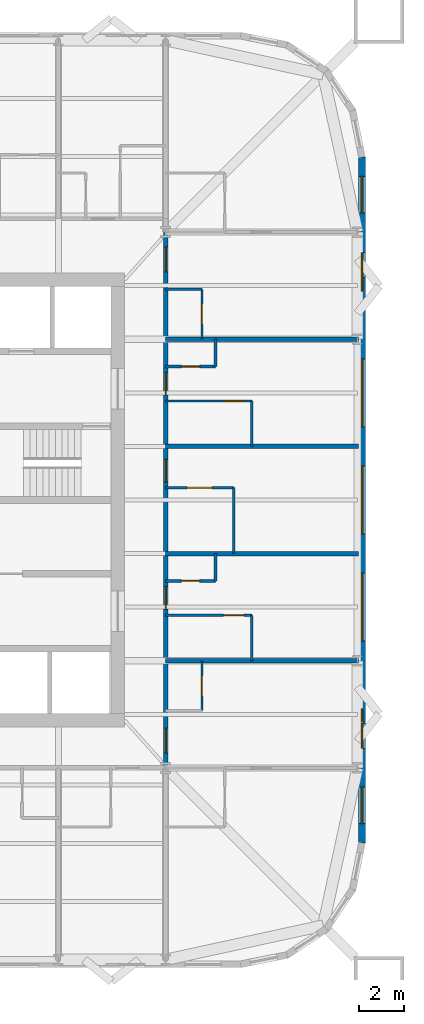
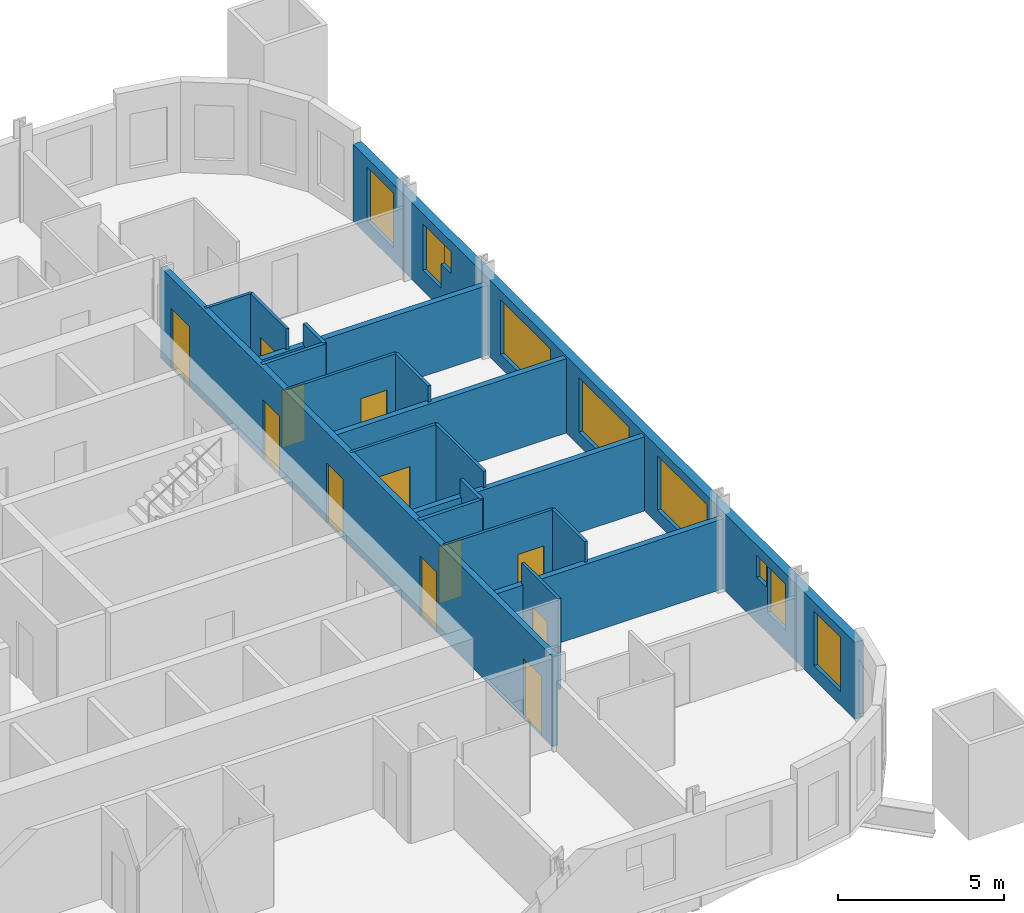
# One storey, part 6 of 9: 19 walls, 12 doors, 9 windows, 21 openings.
"""IFC4 building model written with IfcOpenShell, lengths in metres."""

from ifc_helpers import new_model, si_unit, direction, frame, frame_2d, origin, place, context, subcontext, project, spatial, rectangle, extrude, material, layer, layer_set, type_object, element, fill, save


model = new_model("IFC4")

# Units and contexts
model_context = context("Model", 3, precision=1e-05, world=origin(), true_north=direction((0.0, 1.0)))
body_context = subcontext(model_context, "Body", "Model", "MODEL_VIEW")
ifc_project = project(units=[si_unit("LENGTHUNIT", "METRE"), si_unit("AREAUNIT", "SQUARE_METRE"), si_unit("VOLUMEUNIT", "CUBIC_METRE"), si_unit("PLANEANGLEUNIT", "RADIAN"), si_unit("MASSUNIT", "GRAM", prefix="KILO")], contexts=[model_context])

# Site, building, storey
site_placement = place(None, origin())
site = spatial("IfcSite", under=ifc_project, at=site_placement, CompositionType="ELEMENT")
building_placement = place(site_placement, origin())
building = spatial("IfcBuilding", under=site, at=building_placement, Name="Turquesa Mirador Hotel Tower", CompositionType="ELEMENT")
storey_placement = place(building_placement, frame((0.0, 0.0, 110.89990234375)))
storey = spatial("IfcBuildingStorey", under=building, at=storey_placement, Name="L29", CompositionType="ELEMENT", Elevation=110.89990234375)

# Wall, opening, door
ifc_material_1 = material(Name="Gypsum board on steel studs", Category="steel")
ifc_layer_1 = layer(ifc_material_1, 0.10009765625)
ifc_layer_set_1 = layer_set([ifc_layer_1], Name="BATHROOM WALL 100")
wall_type_1 = type_object("IfcWallType", Name="BATHROOM WALL 100", PredefinedType="PARTITIONING", material=ifc_layer_set_1)
wall_1_placement = place(storey_placement, frame((66.800048828125, 39.919921875, 0.0), z_axis=(0.0, 0.0, 1.0), x_axis=(1.0, 0.0, 0.0)))
wall_1 = element("IfcWall", 1, at=wall_1_placement, inside=storey, type_object=wall_type_1, Name="Partition L29 014", PredefinedType="PARTITIONING", context=body_context, shape_type="SweptSolid", body=[
    extrude(rectangle(XDim=3.800048828125, YDim=0.10009765625, at=frame_2d((1.89990234375, 0.0))), origin(), (0.0, 0.0, 1.0), 3.330078125),
])
opening_1_placement = place(wall_1_placement, frame((2.550048828125, 0.0, 0.0)))
opening_1 = element("IfcOpeningElement", 2, at=opening_1_placement, cuts=wall_1, Name="Opening D02", PredefinedType="OPENING", context=body_context, shape_type="SweptSolid", body=[
    extrude(rectangle(XDim=0.89990234375, YDim=2.10009765625, at=frame_2d((0.449951171875, 1.050048828125))), frame((0.0, 0.06005859375, 0.0), z_axis=(0.0, -1.0, 0.0), x_axis=(1.0, 0.0, 0.0)), (0.0, 0.0, 1.0), 0.1201171875),
])
ifc_material_2 = material(Name="Timber veneered door", Category="wood")
door_type_1 = type_object("IfcDoorType", Name="DOOR 900X2100 EN-SUITE", OperationType="SINGLE_SWING_RIGHT", PredefinedType="DOOR", material=ifc_material_2)
door_1_placement = place(opening_1_placement, origin())
door_1 = element("IfcDoor", 3, at=door_1_placement, inside=storey, type_object=door_type_1, Name="Door 2908B", OperationType="SINGLE_SWING_RIGHT", OverallHeight=2.10009765625, OverallWidth=0.89990234375, PredefinedType="DOOR", context=body_context, shape_type="SweptSolid", body=[
    extrude(rectangle(XDim=0.89990234375, YDim=2.10009765625, at=frame_2d((0.449951171875, 1.050048828125))), frame((0.0, 0.02490234375, 0.0), z_axis=(0.0, -1.0, 0.0), x_axis=(1.0, 0.0, 0.0)), (0.0, 0.0, 1.0), 0.050048828125),
])
fill(opening_1, door_1)

wall_2_placement = place(storey_placement, frame((66.800048828125, 45.5400390625, 0.0), z_axis=(0.0, 0.0, 1.0), x_axis=(1.0, 0.0, 0.0)))
wall_2 = element("IfcWall", 4, at=wall_2_placement, inside=storey, type_object=wall_type_1, Name="Partition L29 019", PredefinedType="PARTITIONING", context=body_context, shape_type="SweptSolid", body=[
    extrude(rectangle(XDim=3.0, YDim=0.10009765625, at=frame_2d((1.5, 0.0))), origin(), (0.0, 0.0, 1.0), 3.330078125),
])
opening_2_placement = place(wall_2_placement, frame((0.949951171875, 0.0, 0.0)))
opening_2 = element("IfcOpeningElement", 5, at=opening_2_placement, cuts=wall_2, Name="Opening D16", PredefinedType="OPENING", context=body_context, shape_type="SweptSolid", body=[
    extrude(rectangle(XDim=1.10009765625, YDim=2.10009765625, at=frame_2d((0.550048828125, 1.050048828125))), frame((0.0, 0.06005859375, 0.0), z_axis=(0.0, -1.0, 0.0), x_axis=(1.0, 0.0, 0.0)), (0.0, 0.0, 1.0), 0.1201171875),
])
ifc_material_3 = material(Name="Timber veneered sliding door", Category="wood")
door_type_2 = type_object("IfcDoorType", Name="DOOR 1100X2100 ACCESSIBLE EN-SUITE", OperationType="SLIDING_TO_LEFT", PredefinedType="DOOR", material=ifc_material_3)
door_2_placement = place(opening_2_placement, origin())
door_2 = element("IfcDoor", 6, at=door_2_placement, inside=storey, type_object=door_type_2, Name="Door 2909B", OperationType="SLIDING_TO_LEFT", OverallHeight=2.10009765625, OverallWidth=1.10009765625, PredefinedType="DOOR", context=body_context, shape_type="SweptSolid", body=[
    extrude(rectangle(XDim=1.10009765625, YDim=2.10009765625, at=frame_2d((0.550048828125, 1.050048828125))), frame((0.0, 0.02490234375, 0.0), z_axis=(0.0, -1.0, 0.0), x_axis=(1.0, 0.0, 0.0)), (0.0, 0.0, 1.0), 0.050048828125),
])
fill(opening_2, door_2)

wall_3_placement = place(storey_placement, frame((66.800048828125, 49.360107421875, 0.0), z_axis=(0.0, 0.0, 1.0), x_axis=(1.0, 0.0, 0.0)))
wall_3 = element("IfcWall", 7, at=wall_3_placement, inside=storey, type_object=wall_type_1, Name="Partition L29 034", PredefinedType="PARTITIONING", context=body_context, shape_type="SweptSolid", body=[
    extrude(rectangle(XDim=3.800048828125, YDim=0.10009765625, at=frame_2d((1.89990234375, 0.0))), origin(), (0.0, 0.0, 1.0), 3.330078125),
])
opening_3_placement = place(wall_3_placement, frame((2.550048828125, 0.0, 0.0)))
opening_3 = element("IfcOpeningElement", 8, at=opening_3_placement, cuts=wall_3, Name="Opening D02", PredefinedType="OPENING", context=body_context, shape_type="SweptSolid", body=[
    extrude(rectangle(XDim=0.89990234375, YDim=2.10009765625, at=frame_2d((0.449951171875, 1.050048828125))), frame((0.0, 0.06005859375, 0.0), z_axis=(0.0, -1.0, 0.0), x_axis=(1.0, 0.0, 0.0)), (0.0, 0.0, 1.0), 0.1201171875),
])
door_3_placement = place(opening_3_placement, origin())
door_3 = element("IfcDoor", 9, at=door_3_placement, inside=storey, type_object=door_type_1, Name="Door 2910B", OperationType="SINGLE_SWING_RIGHT", OverallHeight=2.10009765625, OverallWidth=0.89990234375, PredefinedType="DOOR", context=body_context, shape_type="SweptSolid", body=[
    extrude(rectangle(XDim=0.89990234375, YDim=2.10009765625, at=frame_2d((0.449951171875, 1.050048828125))), frame((0.0, 0.02490234375, 0.0), z_axis=(0.0, -1.0, 0.0), x_axis=(1.0, 0.0, 0.0)), (0.0, 0.0, 1.0), 0.050048828125),
])
fill(opening_3, door_3)

# Wall
wall_4_placement = place(storey_placement, frame((66.800048828125, 54.280029296875, 0.0), z_axis=(0.0, 0.0, 1.0), x_axis=(1.0, 0.0, 0.0)))
element("IfcWall", 10, at=wall_4_placement, inside=storey, type_object=wall_type_1, Name="Partition L29 040", PredefinedType="PARTITIONING", context=body_context, shape_type="SweptSolid", body=[
    extrude(rectangle(XDim=1.599853515625, YDim=0.10009765625, at=frame_2d((0.7998046875, 0.0))), origin(), (0.0, 0.0, 1.0), 3.330078125),
])

# Wall, opening, door
wall_5_placement = place(storey_placement, frame((68.39990234375, 35.719970703125, 0.0), z_axis=(0.0, 0.0, 1.0), x_axis=(0.0, 1.0, 0.0)))
wall_5 = element("IfcWall", 11, at=wall_5_placement, inside=storey, type_object=wall_type_1, Name="Partition L29 063", PredefinedType="PARTITIONING", context=body_context, shape_type="SweptSolid", body=[
    extrude(rectangle(XDim=2.199951171875, YDim=0.10009765625, at=frame_2d((1.10009765625, 0.0))), origin(), (0.0, 0.0, 1.0), 3.330078125),
])
opening_4_placement = place(wall_5_placement, frame((0.64990234375, 0.0, 0.0)))
opening_4 = element("IfcOpeningElement", 12, at=opening_4_placement, cuts=wall_5, Name="Opening D06", PredefinedType="OPENING", context=body_context, shape_type="SweptSolid", body=[
    extrude(rectangle(XDim=0.89990234375, YDim=2.10009765625, at=frame_2d((0.449951171875, 1.050048828125))), frame((0.0, 0.06005859375, 0.0), z_axis=(0.0, -1.0, 0.0), x_axis=(1.0, 0.0, 0.0)), (0.0, 0.0, 1.0), 0.1201171875),
])
ifc_material_4 = material(Name="Laminate door", Category="wood")
door_type_3 = type_object("IfcDoorType", Name="DOOR 900X2100 WC", OperationType="SINGLE_SWING_LEFT", PredefinedType="DOOR", material=ifc_material_4)
door_4_placement = place(opening_4_placement, origin())
door_4 = element("IfcDoor", 13, at=door_4_placement, inside=storey, type_object=door_type_3, Name="Door 2916W", OperationType="SINGLE_SWING_LEFT", OverallHeight=2.10009765625, OverallWidth=0.89990234375, PredefinedType="DOOR", context=body_context, shape_type="SweptSolid", body=[
    extrude(rectangle(XDim=0.89990234375, YDim=2.10009765625, at=frame_2d((0.449951171875, 1.050048828125))), frame((0.0, 0.02490234375, 0.0), z_axis=(0.0, -1.0, 0.0), x_axis=(1.0, 0.0, 0.0)), (0.0, 0.0, 1.0), 0.050048828125),
])
fill(opening_4, door_4)

wall_6_placement = place(storey_placement, frame((68.39990234375, 52.080078125, 0.0), z_axis=(0.0, 0.0, 1.0), x_axis=(0.0, 1.0, 0.0)))
wall_6 = element("IfcWall", 14, at=wall_6_placement, inside=storey, type_object=wall_type_1, Name="Partition L29 064", PredefinedType="PARTITIONING", context=body_context, shape_type="SweptSolid", body=[
    extrude(rectangle(XDim=2.199951171875, YDim=0.10009765625, at=frame_2d((1.10009765625, 0.0))), origin(), (0.0, 0.0, 1.0), 3.330078125),
])
opening_5_placement = place(wall_6_placement, frame((0.64990234375, 0.0, 0.0)))
opening_5 = element("IfcOpeningElement", 15, at=opening_5_placement, cuts=wall_6, Name="Opening D06", PredefinedType="OPENING", context=body_context, shape_type="SweptSolid", body=[
    extrude(rectangle(XDim=0.89990234375, YDim=2.10009765625, at=frame_2d((0.449951171875, 1.050048828125))), frame((0.0, 0.06005859375, 0.0), z_axis=(0.0, -1.0, 0.0), x_axis=(1.0, 0.0, 0.0)), (0.0, 0.0, 1.0), 0.1201171875),
])
door_5_placement = place(opening_5_placement, origin())
door_5 = element("IfcDoor", 16, at=door_5_placement, inside=storey, type_object=door_type_3, Name="Door 2913W", OperationType="SINGLE_SWING_LEFT", OverallHeight=2.10009765625, OverallWidth=0.89990234375, PredefinedType="DOOR", context=body_context, shape_type="SweptSolid", body=[
    extrude(rectangle(XDim=0.89990234375, YDim=2.10009765625, at=frame_2d((0.449951171875, 1.050048828125))), frame((0.0, 0.02490234375, 0.0), z_axis=(0.0, -1.0, 0.0), x_axis=(1.0, 0.0, 0.0)), (0.0, 0.0, 1.0), 0.050048828125),
])
fill(opening_5, door_5)

# Walls
wall_7_placement = place(storey_placement, frame((69.800048828125, 42.639892578125, 0.0), z_axis=(0.0, 0.0, 1.0), x_axis=(0.0, 1.0, 0.0)))
element("IfcWall", 17, at=wall_7_placement, inside=storey, type_object=wall_type_1, Name="Partition L29 069", PredefinedType="PARTITIONING", context=body_context, shape_type="SweptSolid", body=[
    extrude(rectangle(XDim=2.900146484375, YDim=0.10009765625, at=frame_2d((1.4501953125, 0.0))), origin(), (0.0, 0.0, 1.0), 3.330078125),
])
for number, where, z_axis, x_axis, name in (
    (18, (70.60009765625, 37.919921875, 0.0), (0.0, 0.0, 1.0), (0.0, 1.0, 0.0), "Partition L29 070"),
    (19, (70.60009765625, 47.360107421875, 0.0), (0.0, 0.0, 1.0), (0.0, 1.0, 0.0), "Partition L29 071"),
):
    element("IfcWall", number, at=place(storey_placement, frame(where, z_axis=z_axis, x_axis=x_axis)), inside=storey, type_object=wall_type_1, Name=name, PredefinedType="PARTITIONING", context=body_context, shape_type="SweptSolid", body=[
        extrude(rectangle(XDim=2.0, YDim=0.10009765625, at=frame_2d((1.0, 0.0))), origin(), (0.0, 0.0, 1.0), 3.330078125),
    ])

# Wall, openings, doors
ifc_material_5 = material(Name="Fire-rated gypsum board on steel studs", Category="steel")
ifc_layer_2 = layer(ifc_material_5, 0.199951171875)
ifc_layer_set_2 = layer_set([ifc_layer_2], Name="CORRIDOR WALL 200")
wall_type_2 = type_object("IfcWallType", Name="CORRIDOR WALL 200", PredefinedType="PARTITIONING", material=ifc_layer_set_2)
wall_8_placement = place(storey_placement, frame((66.800048828125, 33.199951171875, 0.0), z_axis=(0.0, 0.0, 1.0), x_axis=(0.0, 1.0, 0.0)))
wall_8 = element("IfcWall", 20, at=wall_8_placement, inside=storey, type_object=wall_type_2, Name="Partition L29 060", PredefinedType="PARTITIONING", context=body_context, shape_type="SweptSolid", body=[
    extrude(rectangle(XDim=23.580078125, YDim=0.199951171875, at=frame_2d((11.7900390625, 0.0))), origin(), (0.0, 0.0, 1.0), 3.330078125),
])
opening_6_placement = place(wall_8_placement, frame((6.97998046875, 0.0, 0.0)))
opening_6 = element("IfcOpeningElement", 21, at=opening_6_placement, cuts=wall_8, Name="Opening D01", PredefinedType="OPENING", context=body_context, shape_type="SweptSolid", body=[
    extrude(rectangle(XDim=1.0, YDim=2.199951171875, at=frame_2d((0.5, 1.10009765625))), frame((0.0, 0.10986328125, 0.0), z_axis=(0.0, -1.0, 0.0), x_axis=(1.0, 0.0, 0.0)), (0.0, 0.0, 1.0), 0.219970703125),
])
opening_7_placement = place(wall_8_placement, frame((12.590087890625, 0.0, 0.0)))
opening_7 = element("IfcOpeningElement", 22, at=opening_7_placement, cuts=wall_8, Name="Opening D01", PredefinedType="OPENING", context=body_context, shape_type="SweptSolid", body=[
    extrude(rectangle(XDim=1.0, YDim=2.199951171875, at=frame_2d((0.5, 1.10009765625))), frame((0.0, 0.10986328125, 0.0), z_axis=(0.0, -1.0, 0.0), x_axis=(1.0, 0.0, 0.0)), (0.0, 0.0, 1.0), 0.219970703125),
])
opening_8_placement = place(wall_8_placement, frame((16.419921875, 0.0, 0.0)))
opening_8 = element("IfcOpeningElement", 23, at=opening_8_placement, cuts=wall_8, Name="Opening D01", PredefinedType="OPENING", context=body_context, shape_type="SweptSolid", body=[
    extrude(rectangle(XDim=1.0, YDim=2.199951171875, at=frame_2d((0.5, 1.10009765625))), frame((0.0, 0.10986328125, 0.0), z_axis=(0.0, -1.0, 0.0), x_axis=(1.0, 0.0, 0.0)), (0.0, 0.0, 1.0), 0.219970703125),
])
opening_9_placement = place(wall_8_placement, frame((21.85009765625, 0.0, 0.0)))
opening_9 = element("IfcOpeningElement", 24, at=opening_9_placement, cuts=wall_8, Name="Opening D15", PredefinedType="OPENING", context=body_context, shape_type="SweptSolid", body=[
    extrude(rectangle(XDim=1.10009765625, YDim=2.199951171875, at=frame_2d((0.550048828125, 1.10009765625))), frame((0.0, 0.10986328125, 0.0), z_axis=(0.0, -1.0, 0.0), x_axis=(1.0, 0.0, 0.0)), (0.0, 0.0, 1.0), 0.219970703125),
])
opening_10_placement = place(wall_8_placement, frame((0.64990234375, 0.0, 0.0)))
opening_10 = element("IfcOpeningElement", 25, at=opening_10_placement, cuts=wall_8, Name="Opening D15", PredefinedType="OPENING", context=body_context, shape_type="SweptSolid", body=[
    extrude(rectangle(XDim=1.10009765625, YDim=2.199951171875, at=frame_2d((0.550048828125, 1.10009765625))), frame((0.0, 0.10986328125, 0.0), z_axis=(0.0, -1.0, 0.0), x_axis=(1.0, 0.0, 0.0)), (0.0, 0.0, 1.0), 0.219970703125),
])
ifc_material_6 = material(Name="Timber veneered fire door", Category="wood")
door_type_4 = type_object("IfcDoorType", Name="DOOR 1000X2200 GUEST ENTRY", OperationType="SINGLE_SWING_LEFT", PredefinedType="DOOR", material=ifc_material_6)
door_6_placement = place(opening_6_placement, origin())
door_6 = element("IfcDoor", 26, at=door_6_placement, inside=storey, type_object=door_type_4, Name="Door 2908", OperationType="SINGLE_SWING_LEFT", OverallHeight=2.199951171875, OverallWidth=1.0, PredefinedType="DOOR", context=body_context, shape_type="SweptSolid", body=[
    extrude(rectangle(XDim=1.0, YDim=2.199951171875, at=frame_2d((0.5, 1.10009765625))), frame((0.0, 0.02490234375, 0.0), z_axis=(0.0, -1.0, 0.0), x_axis=(1.0, 0.0, 0.0)), (0.0, 0.0, 1.0), 0.050048828125),
])
fill(opening_6, door_6)
door_7_placement = place(opening_7_placement, origin())
door_7 = element("IfcDoor", 27, at=door_7_placement, inside=storey, type_object=door_type_4, Name="Door 2909", OperationType="SINGLE_SWING_LEFT", OverallHeight=2.199951171875, OverallWidth=1.0, PredefinedType="DOOR", context=body_context, shape_type="SweptSolid", body=[
    extrude(rectangle(XDim=1.0, YDim=2.199951171875, at=frame_2d((0.5, 1.10009765625))), frame((0.0, 0.02490234375, 0.0), z_axis=(0.0, -1.0, 0.0), x_axis=(1.0, 0.0, 0.0)), (0.0, 0.0, 1.0), 0.050048828125),
])
fill(opening_7, door_7)
door_8_placement = place(opening_8_placement, origin())
door_8 = element("IfcDoor", 28, at=door_8_placement, inside=storey, type_object=door_type_4, Name="Door 2910", OperationType="SINGLE_SWING_LEFT", OverallHeight=2.199951171875, OverallWidth=1.0, PredefinedType="DOOR", context=body_context, shape_type="SweptSolid", body=[
    extrude(rectangle(XDim=1.0, YDim=2.199951171875, at=frame_2d((0.5, 1.10009765625))), frame((0.0, 0.02490234375, 0.0), z_axis=(0.0, -1.0, 0.0), x_axis=(1.0, 0.0, 0.0)), (0.0, 0.0, 1.0), 0.050048828125),
])
fill(opening_8, door_8)
ifc_material_7 = material(Name="Timber veneered fire door", Category="wood")
door_type_5 = type_object("IfcDoorType", Name="DOOR 1100X2200 SUITE ENTRY", OperationType="SINGLE_SWING_LEFT", PredefinedType="DOOR", material=ifc_material_7)
door_9_placement = place(opening_9_placement, origin())
door_9 = element("IfcDoor", 29, at=door_9_placement, inside=storey, type_object=door_type_5, Name="Door 2913", OperationType="SINGLE_SWING_LEFT", OverallHeight=2.199951171875, OverallWidth=1.10009765625, PredefinedType="DOOR", context=body_context, shape_type="SweptSolid", body=[
    extrude(rectangle(XDim=1.10009765625, YDim=2.199951171875, at=frame_2d((0.550048828125, 1.10009765625))), frame((0.0, 0.02490234375, 0.0), z_axis=(0.0, -1.0, 0.0), x_axis=(1.0, 0.0, 0.0)), (0.0, 0.0, 1.0), 0.050048828125),
])
fill(opening_9, door_9)
door_10_placement = place(opening_10_placement, origin())
door_10 = element("IfcDoor", 30, at=door_10_placement, inside=storey, type_object=door_type_5, Name="Door 2916", OperationType="SINGLE_SWING_LEFT", OverallHeight=2.199951171875, OverallWidth=1.10009765625, PredefinedType="DOOR", context=body_context, shape_type="SweptSolid", body=[
    extrude(rectangle(XDim=1.10009765625, YDim=2.199951171875, at=frame_2d((0.550048828125, 1.10009765625))), frame((0.0, 0.02490234375, 0.0), z_axis=(0.0, -1.0, 0.0), x_axis=(1.0, 0.0, 0.0)), (0.0, 0.0, 1.0), 0.050048828125),
])
fill(opening_10, door_10)

# Wall, openings, windows
ifc_material_8 = material(Name="Limestone cladding on concrete block", Category="masonry")
ifc_layer_3 = layer(ifc_material_8, 0.300048828125)
ifc_layer_set_3 = layer_set([ifc_layer_3], Name="FACADE WALL 300 STONE SCREEN")
wall_type_3 = type_object("IfcWallType", Name="FACADE WALL 300 STONE SCREEN", PredefinedType="SOLIDWALL", material=ifc_layer_set_3)
wall_9_placement = place(storey_placement, frame((75.449951171875, 29.89990234375, 0.0), z_axis=(0.0, 0.0, 1.0), x_axis=(0.0, 1.0, 0.0)))
wall_9 = element("IfcWall", 31, at=wall_9_placement, inside=storey, type_object=wall_type_3, Name="Facade wall L29 04", PredefinedType="SOLIDWALL", context=body_context, shape_type="SweptSolid", body=[
    extrude(rectangle(XDim=30.2001953125, YDim=0.300048828125, at=frame_2d((15.10009765625, 0.0))), origin(), (0.0, 0.0, 1.0), 2.830078125),
])
opening_11_placement = place(wall_9_placement, frame((0.85009765625, 0.0, 0.5)))
opening_11 = element("IfcOpeningElement", 32, at=opening_11_placement, cuts=wall_9, Name="Opening WN3", PredefinedType="OPENING", context=body_context, shape_type="SweptSolid", body=[
    extrude(rectangle(XDim=1.60009765625, YDim=2.0, at=frame_2d((0.800048828125, 1.0))), frame((0.0, 0.159912109375, 0.0), z_axis=(0.0, -1.0, 0.0), x_axis=(1.0, 0.0, 0.0)), (0.0, 0.0, 1.0), 0.320068359375),
])
opening_12_placement = place(wall_9_placement, frame((4.159912109375, 0.0, 0.75)))
opening_12 = element("IfcOpeningElement", 33, at=opening_12_placement, cuts=wall_9, Name="Opening WN26", PredefinedType="OPENING", context=body_context, shape_type="SweptSolid", body=[
    extrude(rectangle(XDim=1.10009765625, YDim=1.699951171875, at=frame_2d((0.550048828125, 0.85009765625))), frame((0.0, 0.159912109375, 0.0), z_axis=(0.0, -1.0, 0.0), x_axis=(1.0, 0.0, 0.0)), (0.0, 0.0, 1.0), 0.320068359375),
])
opening_13_placement = place(wall_9_placement, frame((8.8798828125, 0.0, 0.5)))
opening_13 = element("IfcOpeningElement", 34, at=opening_13_placement, cuts=wall_9, Name="Opening WN1", PredefinedType="OPENING", context=body_context, shape_type="SweptSolid", body=[
    extrude(rectangle(XDim=3.0, YDim=2.0, at=frame_2d((1.5, 1.0))), frame((0.0, 0.159912109375, 0.0), z_axis=(0.0, -1.0, 0.0), x_axis=(1.0, 0.0, 0.0)), (0.0, 0.0, 1.0), 0.320068359375),
])
opening_14_placement = place(wall_9_placement, frame((13.60009765625, 0.0, 0.5)))
opening_14 = element("IfcOpeningElement", 35, at=opening_14_placement, cuts=wall_9, Name="Opening WN1", PredefinedType="OPENING", context=body_context, shape_type="SweptSolid", body=[
    extrude(rectangle(XDim=3.0, YDim=2.0, at=frame_2d((1.5, 1.0))), frame((0.0, 0.159912109375, 0.0), z_axis=(0.0, -1.0, 0.0), x_axis=(1.0, 0.0, 0.0)), (0.0, 0.0, 1.0), 0.320068359375),
])
opening_15_placement = place(wall_9_placement, frame((18.320068359375, 0.0, 0.5)))
opening_15 = element("IfcOpeningElement", 36, at=opening_15_placement, cuts=wall_9, Name="Opening WN1", PredefinedType="OPENING", context=body_context, shape_type="SweptSolid", body=[
    extrude(rectangle(XDim=3.0, YDim=2.0, at=frame_2d((1.5, 1.0))), frame((0.0, 0.159912109375, 0.0), z_axis=(0.0, -1.0, 0.0), x_axis=(1.0, 0.0, 0.0)), (0.0, 0.0, 1.0), 0.320068359375),
])
opening_16_placement = place(wall_9_placement, frame((24.889892578125, 0.0, 0.75)))
opening_16 = element("IfcOpeningElement", 37, at=opening_16_placement, cuts=wall_9, Name="Opening WN26", PredefinedType="OPENING", context=body_context, shape_type="SweptSolid", body=[
    extrude(rectangle(XDim=1.10009765625, YDim=1.699951171875, at=frame_2d((0.550048828125, 0.85009765625))), frame((0.0, 0.159912109375, 0.0), z_axis=(0.0, -1.0, 0.0), x_axis=(1.0, 0.0, 0.0)), (0.0, 0.0, 1.0), 0.320068359375),
])
opening_17_placement = place(wall_9_placement, frame((27.75, 0.0, 0.5)))
opening_17 = element("IfcOpeningElement", 38, at=opening_17_placement, cuts=wall_9, Name="Opening WN3", PredefinedType="OPENING", context=body_context, shape_type="SweptSolid", body=[
    extrude(rectangle(XDim=1.60009765625, YDim=2.0, at=frame_2d((0.800048828125, 1.0))), frame((0.0, 0.159912109375, 0.0), z_axis=(0.0, -1.0, 0.0), x_axis=(1.0, 0.0, 0.0)), (0.0, 0.0, 1.0), 0.320068359375),
])
opening_18_placement = place(wall_9_placement, frame((5.31005859375, 0.0, 1.64990234375)))
opening_18 = element("IfcOpeningElement", 39, at=opening_18_placement, cuts=wall_9, Name="Opening WN28", PredefinedType="OPENING", context=body_context, shape_type="SweptSolid", body=[
    extrude(rectangle(XDim=0.60009765625, YDim=0.800048828125, at=frame_2d((0.300048828125, 0.39990234375))), frame((0.0, 0.159912109375, 0.0), z_axis=(0.0, -1.0, 0.0), x_axis=(1.0, 0.0, 0.0)), (0.0, 0.0, 1.0), 0.320068359375),
])
opening_19_placement = place(wall_9_placement, frame((24.2900390625, 0.0, 1.64990234375)))
opening_19 = element("IfcOpeningElement", 40, at=opening_19_placement, cuts=wall_9, Name="Opening WN28", PredefinedType="OPENING", context=body_context, shape_type="SweptSolid", body=[
    extrude(rectangle(XDim=0.60009765625, YDim=0.800048828125, at=frame_2d((0.300048828125, 0.39990234375))), frame((0.0, 0.159912109375, 0.0), z_axis=(0.0, -1.0, 0.0), x_axis=(1.0, 0.0, 0.0)), (0.0, 0.0, 1.0), 0.320068359375),
])
ifc_material_9 = material(Name="Ceramic-fritted laminated glass", Category="glass")
window_type_1 = type_object("IfcWindowType", Name="FRITTED WINDOW 1100X1700", PartitioningType="DOUBLE_PANEL_HORIZONTAL", PredefinedType="WINDOW", material=ifc_material_9)
window_1_placement = place(opening_12_placement, origin())
window_1 = element("IfcWindow", 41, at=window_1_placement, inside=storey, type_object=window_type_1, Name="Window L29", OverallHeight=1.699951171875, OverallWidth=1.10009765625, PartitioningType="SINGLE_PANEL", PredefinedType="WINDOW", context=body_context, shape_type="SweptSolid", body=[
    extrude(rectangle(XDim=1.10009765625, YDim=1.699951171875, at=frame_2d((0.550048828125, 0.85009765625))), frame((0.0, 0.030029296875, 0.0), z_axis=(0.0, -1.0, 0.0), x_axis=(1.0, 0.0, 0.0)), (0.0, 0.0, 1.0), 0.06005859375),
])
fill(opening_12, window_1)
window_2_placement = place(opening_16_placement, origin())
window_2 = element("IfcWindow", 42, at=window_2_placement, inside=storey, type_object=window_type_1, Name="Window L29", OverallHeight=1.699951171875, OverallWidth=1.10009765625, PartitioningType="SINGLE_PANEL", PredefinedType="WINDOW", context=body_context, shape_type="SweptSolid", body=[
    extrude(rectangle(XDim=1.10009765625, YDim=1.699951171875, at=frame_2d((0.550048828125, 0.85009765625))), frame((0.0, 0.030029296875, 0.0), z_axis=(0.0, -1.0, 0.0), x_axis=(1.0, 0.0, 0.0)), (0.0, 0.0, 1.0), 0.06005859375),
])
fill(opening_16, window_2)
ifc_material_10 = material(Name="Ceramic-fritted laminated glass", Category="glass")
window_type_2 = type_object("IfcWindowType", Name="FRITTED WINDOW 1600X2000", PartitioningType="DOUBLE_PANEL_HORIZONTAL", PredefinedType="WINDOW", material=ifc_material_10)
window_3_placement = place(opening_11_placement, origin())
window_3 = element("IfcWindow", 43, at=window_3_placement, inside=storey, type_object=window_type_2, Name="Window L29", OverallHeight=2.0, OverallWidth=1.60009765625, PartitioningType="SINGLE_PANEL", PredefinedType="WINDOW", context=body_context, shape_type="SweptSolid", body=[
    extrude(rectangle(XDim=1.60009765625, YDim=2.0, at=frame_2d((0.800048828125, 1.0))), frame((0.0, 0.030029296875, 0.0), z_axis=(0.0, -1.0, 0.0), x_axis=(1.0, 0.0, 0.0)), (0.0, 0.0, 1.0), 0.06005859375),
])
fill(opening_11, window_3)
window_4_placement = place(opening_17_placement, origin())
window_4 = element("IfcWindow", 44, at=window_4_placement, inside=storey, type_object=window_type_2, Name="Window L29", OverallHeight=2.0, OverallWidth=1.60009765625, PartitioningType="SINGLE_PANEL", PredefinedType="WINDOW", context=body_context, shape_type="SweptSolid", body=[
    extrude(rectangle(XDim=1.60009765625, YDim=2.0, at=frame_2d((0.800048828125, 1.0))), frame((0.0, 0.030029296875, 0.0), z_axis=(0.0, -1.0, 0.0), x_axis=(1.0, 0.0, 0.0)), (0.0, 0.0, 1.0), 0.06005859375),
])
fill(opening_17, window_4)
ifc_material_11 = material(Name="Ceramic-fritted laminated glass", Category="glass")
window_type_3 = type_object("IfcWindowType", Name="FRITTED WINDOW 3000X2000", PartitioningType="DOUBLE_PANEL_HORIZONTAL", PredefinedType="WINDOW", material=ifc_material_11)
window_5_placement = place(opening_13_placement, origin())
window_5 = element("IfcWindow", 45, at=window_5_placement, inside=storey, type_object=window_type_3, Name="Window L29", OverallHeight=2.0, OverallWidth=3.0, PartitioningType="SINGLE_PANEL", PredefinedType="WINDOW", context=body_context, shape_type="SweptSolid", body=[
    extrude(rectangle(XDim=3.0, YDim=2.0, at=frame_2d((1.5, 1.0))), frame((0.0, 0.030029296875, 0.0), z_axis=(0.0, -1.0, 0.0), x_axis=(1.0, 0.0, 0.0)), (0.0, 0.0, 1.0), 0.06005859375),
])
fill(opening_13, window_5)
window_6_placement = place(opening_14_placement, origin())
window_6 = element("IfcWindow", 46, at=window_6_placement, inside=storey, type_object=window_type_3, Name="Window L29", OverallHeight=2.0, OverallWidth=3.0, PartitioningType="SINGLE_PANEL", PredefinedType="WINDOW", context=body_context, shape_type="SweptSolid", body=[
    extrude(rectangle(XDim=3.0, YDim=2.0, at=frame_2d((1.5, 1.0))), frame((0.0, 0.030029296875, 0.0), z_axis=(0.0, -1.0, 0.0), x_axis=(1.0, 0.0, 0.0)), (0.0, 0.0, 1.0), 0.06005859375),
])
fill(opening_14, window_6)
window_7_placement = place(opening_15_placement, origin())
window_7 = element("IfcWindow", 47, at=window_7_placement, inside=storey, type_object=window_type_3, Name="Window L29", OverallHeight=2.0, OverallWidth=3.0, PartitioningType="SINGLE_PANEL", PredefinedType="WINDOW", context=body_context, shape_type="SweptSolid", body=[
    extrude(rectangle(XDim=3.0, YDim=2.0, at=frame_2d((1.5, 1.0))), frame((0.0, 0.030029296875, 0.0), z_axis=(0.0, -1.0, 0.0), x_axis=(1.0, 0.0, 0.0)), (0.0, 0.0, 1.0), 0.06005859375),
])
fill(opening_15, window_7)
ifc_material_12 = material(Name="Ceramic-fritted laminated glass", Category="glass")
window_type_4 = type_object("IfcWindowType", Name="FRITTED WINDOW 600X800", PartitioningType="DOUBLE_PANEL_HORIZONTAL", PredefinedType="WINDOW", material=ifc_material_12)
window_8_placement = place(opening_18_placement, origin())
window_8 = element("IfcWindow", 48, at=window_8_placement, inside=storey, type_object=window_type_4, Name="Window L29", OverallHeight=0.800048828125, OverallWidth=0.60009765625, PartitioningType="SINGLE_PANEL", PredefinedType="WINDOW", context=body_context, shape_type="SweptSolid", body=[
    extrude(rectangle(XDim=0.60009765625, YDim=0.800048828125, at=frame_2d((0.300048828125, 0.39990234375))), frame((0.0, 0.030029296875, 0.0), z_axis=(0.0, -1.0, 0.0), x_axis=(1.0, 0.0, 0.0)), (0.0, 0.0, 1.0), 0.06005859375),
])
fill(opening_18, window_8)
window_9_placement = place(opening_19_placement, origin())
window_9 = element("IfcWindow", 49, at=window_9_placement, inside=storey, type_object=window_type_4, Name="Window L29", OverallHeight=0.800048828125, OverallWidth=0.60009765625, PartitioningType="SINGLE_PANEL", PredefinedType="WINDOW", context=body_context, shape_type="SweptSolid", body=[
    extrude(rectangle(XDim=0.60009765625, YDim=0.800048828125, at=frame_2d((0.300048828125, 0.39990234375))), frame((0.0, 0.030029296875, 0.0), z_axis=(0.0, -1.0, 0.0), x_axis=(1.0, 0.0, 0.0)), (0.0, 0.0, 1.0), 0.06005859375),
])
fill(opening_19, window_9)

# Walls
ifc_material_13 = material(Name="Fire-rated gypsum board on steel studs", Category="steel")
ifc_layer_4 = layer(ifc_material_13, 0.199951171875)
ifc_layer_set_4 = layer_set([ifc_layer_4], Name="PARTY WALL 200")
wall_type_4 = type_object("IfcWallType", Name="PARTY WALL 200", PredefinedType="PARTITIONING", material=ifc_layer_set_4)
wall_10_placement = place(storey_placement, frame((66.800048828125, 42.639892578125, 0.0), z_axis=(0.0, 0.0, 1.0), x_axis=(1.0, 0.0, 0.0)))
element("IfcWall", 50, at=wall_10_placement, inside=storey, type_object=wall_type_4, Name="Partition L29 011", PredefinedType="PARTITIONING", context=body_context, shape_type="SweptSolid", body=[
    extrude(rectangle(XDim=8.5, YDim=0.199951171875, at=frame_2d((4.25, 0.0))), origin(), (0.0, 0.0, 1.0), 2.730712890625),
])
wall_11_placement = place(storey_placement, frame((66.800048828125, 37.919921875, 0.0), z_axis=(0.0, 0.0, 1.0), x_axis=(1.0, 0.0, 0.0)))
element("IfcWall", 51, at=wall_11_placement, inside=storey, type_object=wall_type_4, Name="Partition L29 016", PredefinedType="PARTITIONING", context=body_context, shape_type="SweptSolid", body=[
    extrude(rectangle(XDim=8.5, YDim=0.199951171875, at=frame_2d((4.25, 0.0))), origin(), (0.0, 0.0, 1.0), 2.5732421875),
])
wall_12_placement = place(storey_placement, frame((66.800048828125, 47.360107421875, 0.0), z_axis=(0.0, 0.0, 1.0), x_axis=(1.0, 0.0, 0.0)))
element("IfcWall", 52, at=wall_12_placement, inside=storey, type_object=wall_type_4, Name="Partition L29 033", PredefinedType="PARTITIONING", context=body_context, shape_type="SweptSolid", body=[
    extrude(rectangle(XDim=8.5, YDim=0.199951171875, at=frame_2d((4.25, 0.0))), origin(), (0.0, 0.0, 1.0), 2.730712890625),
])
wall_13_placement = place(storey_placement, frame((66.800048828125, 52.080078125, 0.0), z_axis=(0.0, 0.0, 1.0), x_axis=(1.0, 0.0, 0.0)))
element("IfcWall", 53, at=wall_13_placement, inside=storey, type_object=wall_type_4, Name="Partition L29 039", PredefinedType="PARTITIONING", context=body_context, shape_type="SweptSolid", body=[
    extrude(rectangle(XDim=8.5, YDim=0.199951171875, at=frame_2d((4.25, 0.0))), origin(), (0.0, 0.0, 1.0), 2.5732421875),
])

# Wall, opening, door
ifc_material_14 = material(Name="Acoustic gypsum board on steel studs", Category="steel")
ifc_layer_5 = layer(ifc_material_14, 0.125)
ifc_layer_set_5 = layer_set([ifc_layer_5], Name="SUITE PARTITION 125")
wall_type_5 = type_object("IfcWallType", Name="SUITE PARTITION 125", PredefinedType="PARTITIONING", material=ifc_layer_set_5)
wall_14_placement = place(storey_placement, frame((66.800048828125, 41.43994140625, 0.0), z_axis=(0.0, 0.0, 1.0), x_axis=(1.0, 0.0, 0.0)))
wall_14 = element("IfcWall", 54, at=wall_14_placement, inside=storey, type_object=wall_type_5, Name="Partition L29 012", PredefinedType="PARTITIONING", context=body_context, shape_type="SweptSolid", body=[
    extrude(rectangle(XDim=2.199951171875, YDim=0.125, at=frame_2d((1.10009765625, 0.0))), origin(), (0.0, 0.0, 1.0), 3.330078125),
])
opening_20_placement = place(wall_14_placement, frame((0.699951171875, 0.0, 0.0)))
opening_20 = element("IfcOpeningElement", 55, at=opening_20_placement, cuts=wall_14, Name="Opening D20", PredefinedType="OPENING", context=body_context, shape_type="SweptSolid", body=[
    extrude(rectangle(XDim=0.800048828125, YDim=2.10009765625, at=frame_2d((0.39990234375, 1.050048828125))), frame((0.0, 0.072509765625, 0.0), z_axis=(0.0, -1.0, 0.0), x_axis=(1.0, 0.0, 0.0)), (0.0, 0.0, 1.0), 0.14501953125),
])
ifc_material_15 = material(Name="Timber veneered sliding door", Category="wood")
door_type_6 = type_object("IfcDoorType", Name="DOOR 800X2100 WARDROBE", OperationType="SLIDING_TO_LEFT", PredefinedType="DOOR", material=ifc_material_15)
door_11_placement = place(opening_20_placement, origin())
door_11 = element("IfcDoor", 56, at=door_11_placement, inside=storey, type_object=door_type_6, Name="Door 2908W", OperationType="SLIDING_TO_LEFT", OverallHeight=2.10009765625, OverallWidth=0.800048828125, PredefinedType="DOOR", context=body_context, shape_type="SweptSolid", body=[
    extrude(rectangle(XDim=0.800048828125, YDim=2.10009765625, at=frame_2d((0.39990234375, 1.050048828125))), frame((0.0, 0.02490234375, 0.0), z_axis=(0.0, -1.0, 0.0), x_axis=(1.0, 0.0, 0.0)), (0.0, 0.0, 1.0), 0.050048828125),
])
fill(opening_20, door_11)

wall_15_placement = place(storey_placement, frame((66.800048828125, 50.8798828125, 0.0), z_axis=(0.0, 0.0, 1.0), x_axis=(1.0, 0.0, 0.0)))
wall_15 = element("IfcWall", 57, at=wall_15_placement, inside=storey, type_object=wall_type_5, Name="Partition L29 036", PredefinedType="PARTITIONING", context=body_context, shape_type="SweptSolid", body=[
    extrude(rectangle(XDim=2.199951171875, YDim=0.125, at=frame_2d((1.10009765625, 0.0))), origin(), (0.0, 0.0, 1.0), 3.330078125),
])
opening_21_placement = place(wall_15_placement, frame((0.699951171875, 0.0, 0.0)))
opening_21 = element("IfcOpeningElement", 58, at=opening_21_placement, cuts=wall_15, Name="Opening D20", PredefinedType="OPENING", context=body_context, shape_type="SweptSolid", body=[
    extrude(rectangle(XDim=0.800048828125, YDim=2.10009765625, at=frame_2d((0.39990234375, 1.050048828125))), frame((0.0, 0.072509765625, 0.0), z_axis=(0.0, -1.0, 0.0), x_axis=(1.0, 0.0, 0.0)), (0.0, 0.0, 1.0), 0.14501953125),
])
door_12_placement = place(opening_21_placement, origin())
door_12 = element("IfcDoor", 59, at=door_12_placement, inside=storey, type_object=door_type_6, Name="Door 2910W", OperationType="SLIDING_TO_LEFT", OverallHeight=2.10009765625, OverallWidth=0.800048828125, PredefinedType="DOOR", context=body_context, shape_type="SweptSolid", body=[
    extrude(rectangle(XDim=0.800048828125, YDim=2.10009765625, at=frame_2d((0.39990234375, 1.050048828125))), frame((0.0, 0.02490234375, 0.0), z_axis=(0.0, -1.0, 0.0), x_axis=(1.0, 0.0, 0.0)), (0.0, 0.0, 1.0), 0.050048828125),
])
fill(opening_21, door_12)

# Walls
wall_16_placement = place(storey_placement, frame((69.0, 41.43994140625, 0.0), z_axis=(0.0, 0.0, 1.0), x_axis=(0.0, 1.0, 0.0)))
element("IfcWall", 60, at=wall_16_placement, inside=storey, type_object=wall_type_5, Name="Partition L29 065", PredefinedType="PARTITIONING", context=body_context, shape_type="SweptSolid", body=[
    extrude(rectangle(XDim=1.199951171875, YDim=0.125, at=frame_2d((0.60009765625, 0.0))), origin(), (0.0, 0.0, 1.0), 3.330078125),
])
wall_17_placement = place(storey_placement, frame((69.0, 50.8798828125, 0.0), z_axis=(0.0, 0.0, 1.0), x_axis=(0.0, 1.0, 0.0)))
element("IfcWall", 61, at=wall_17_placement, inside=storey, type_object=wall_type_5, Name="Partition L29 066", PredefinedType="PARTITIONING", context=body_context, shape_type="SweptSolid", body=[
    extrude(rectangle(XDim=1.2001953125, YDim=0.125, at=frame_2d((0.60009765625, 0.0))), origin(), (0.0, 0.0, 1.0), 3.330078125),
])

save(model, "model.ifc")
